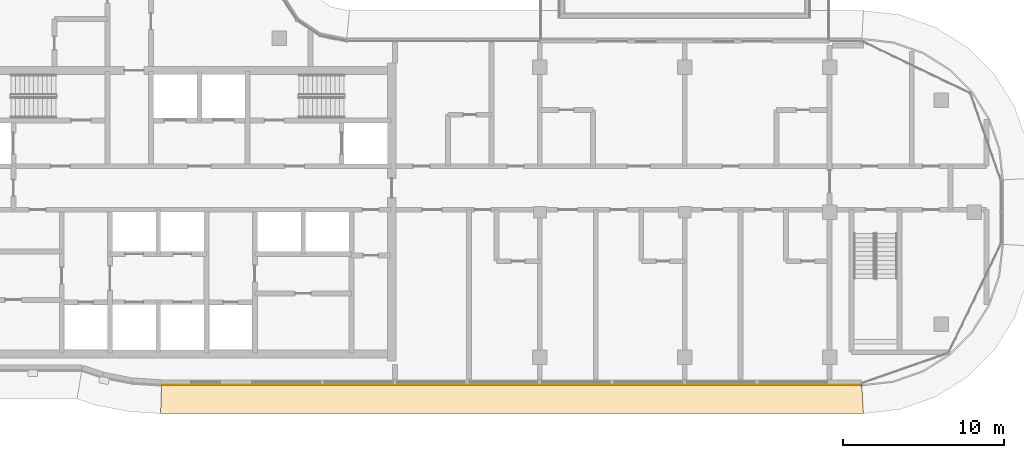
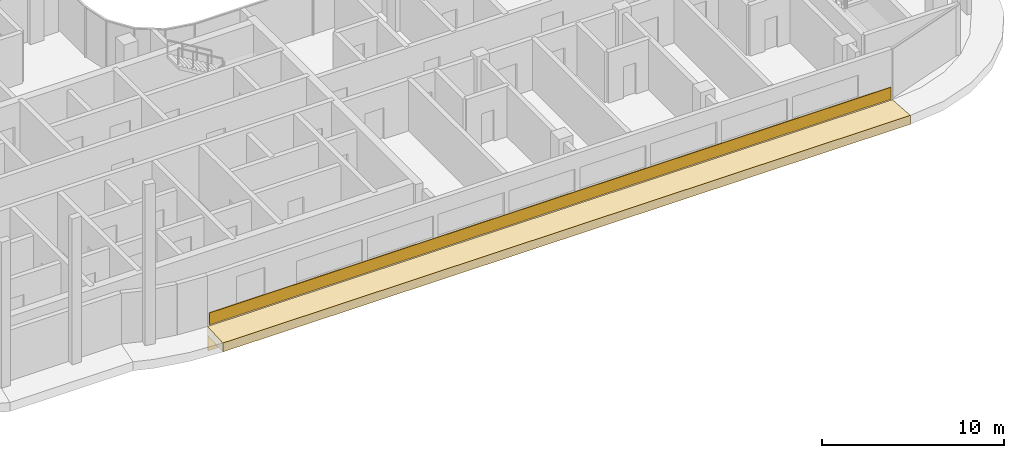
# One storey, part 18 of 20: 3 coverings.
"""IFC4 building model written with IfcOpenShell, lengths in metres."""

import ifcopenshell
import ifcopenshell.guid

model = None  # the IFC model being written
_history = None  # IfcOwnerHistory: only IFC2X3 demands one
_inside = {}  # id of a spatial element -> (the spatial element, [elements in it])
_under = {}  # id of a project, library or spatial element -> (it, [spatial elements below it])
_declared = {}  # id of a project -> (the project, [libraries it declares])
_typed = {}  # id of a type object -> (the type object, [elements of that type])
_made_of = {}  # id of a material, layer set ... -> (it, [elements and type objects made of it])


def new_model(schema):
    """Start an empty IFC model of exactly this schema.

    Asked for "IFC4X3", IfcOpenShell would pick the latest addendum, in which some entities
    have other attributes; the version numbers below select the first issue.
    IFC2X3 requires an IfcOwnerHistory on every rooted entity: one is made here for all.
    """
    global model, _history
    if schema == "IFC4X3":
        model = ifcopenshell.file(schema_version=(4, 3, 0, 0))
    else:
        model = ifcopenshell.file(schema=schema)
    _inside.clear()
    _under.clear()
    _declared.clear()
    _typed.clear()
    _made_of.clear()
    _history = None
    if model.schema == "IFC2X3":
        org = make("IfcOrganization", Name="unknown")
        user = make(
            "IfcPersonAndOrganization",
            ThePerson=make("IfcPerson", FamilyName="unknown"),
            TheOrganization=org,
        )
        app = make(
            "IfcApplication",
            ApplicationDeveloper=org,
            Version="unknown",
            ApplicationFullName="unknown",
            ApplicationIdentifier="unknown",
        )
        _history = make(
            "IfcOwnerHistory",
            OwningUser=user,
            OwningApplication=app,
            ChangeAction="ADDED",
            CreationDate=0,
        )
    return model


def make(cls, **values):
    """One entity of the class cls with the attributes given. An attribute that is None is left unset."""
    return model.create_entity(
        cls, **{name: value for name, value in values.items() if value is not None}
    )


def rooted(cls, **values):
    """An entity with a GlobalId (a new one), such as an element, a storey or a relation."""
    return make(cls, GlobalId=ifcopenshell.guid.new(), OwnerHistory=_history, **values)


def si_unit(unit_type, name, prefix=None):
    """IfcSIUnit, for example si_unit("LENGTHUNIT", "METRE", prefix="MILLI")."""
    return make("IfcSIUnit", UnitType=unit_type, Prefix=prefix, Name=name)


def assignment(units):
    """IfcUnitAssignment: the units of a project."""
    return None if units is None else make("IfcUnitAssignment", Units=units)


def point(xyz):
    """IfcCartesianPoint."""
    return None if xyz is None else make("IfcCartesianPoint", Coordinates=xyz)


def direction(xyz):
    """IfcDirection."""
    return None if xyz is None else make("IfcDirection", DirectionRatios=xyz)


def frame(location, z_axis=None, x_axis=None):
    """IfcAxis2Placement3D, a coordinate frame: its origin and axes. An axis left out is left unset."""
    return make(
        "IfcAxis2Placement3D",
        Location=point(location),
        Axis=direction(z_axis),
        RefDirection=direction(x_axis),
    )


def frame_2d(location, x_axis=None):
    """IfcAxis2Placement2D, a coordinate frame in the plane: its origin and x axis."""
    return make(
        "IfcAxis2Placement2D", Location=point(location), RefDirection=direction(x_axis)
    )


def origin():
    """The frame at (0, 0, 0) with its axes left unset."""
    return frame((0.0, 0.0, 0.0))


def origin_2d():
    """The frame at (0, 0) in the plane with its x axis left unset."""
    return frame_2d((0.0, 0.0))


def place(relative_to, where):
    """IfcLocalPlacement: puts the frame where relative to a parent placement (None: the world)."""
    return make(
        "IfcLocalPlacement", PlacementRelTo=relative_to, RelativePlacement=where
    )


def context(
    kind, dimensions, precision=None, world=None, true_north=None, identifier=None
):
    """IfcGeometricRepresentationContext, for example the 3D "Model" context."""
    return make(
        "IfcGeometricRepresentationContext",
        ContextIdentifier=identifier,
        ContextType=kind,
        CoordinateSpaceDimension=dimensions,
        Precision=precision,
        WorldCoordinateSystem=world,
        TrueNorth=true_north,
    )


def subcontext(parent, identifier, kind, view, scale=None):
    """IfcGeometricRepresentationSubContext, for example "Body" below "Model"."""
    return make(
        "IfcGeometricRepresentationSubContext",
        ContextIdentifier=identifier,
        ContextType=kind,
        ParentContext=parent,
        TargetScale=scale,
        TargetView=view,
    )


def project(units=None, contexts=None):
    """IfcProject with its units and contexts."""
    return rooted(
        "IfcProject",
        Name="project",
        RepresentationContexts=contexts,
        UnitsInContext=assignment(units),
    )


def spatial(cls, under=None, at=None, **own):
    """A site, building, storey or space (cls), placed at a placement, below another one or the project."""
    s = rooted(cls, ObjectPlacement=at, **own)
    if under is not None:
        _under.setdefault(under.id(), (under, []))[1].append(s)
    return s


def polyline(points):
    """IfcPolyline through the points."""
    return make("IfcPolyline", Points=[point(p) for p in points])


def profile(cls, at=None, kind="AREA", **sizes):
    """A parametric profile (cls). Its sizes go by their IFC names, for example OverallWidth=200.0."""
    return make(cls, ProfileType=kind, Position=at, **sizes)


def rectangle(**sizes):
    """IfcRectangleProfileDef."""
    return profile("IfcRectangleProfileDef", **sizes)


def outline(outer, holes=None, kind="AREA"):
    """IfcArbitraryClosedProfileDef: a profile drawn as a closed curve; with holes, ...WithVoids."""
    if holes is None:
        return make("IfcArbitraryClosedProfileDef", ProfileType=kind, OuterCurve=outer)
    return make(
        "IfcArbitraryProfileDefWithVoids",
        ProfileType=kind,
        OuterCurve=outer,
        InnerCurves=holes,
    )


def extrude(swept, where, along, depth):
    """IfcExtrudedAreaSolid: the profile swept, set in the frame where, extruded along a direction by depth."""
    return make(
        "IfcExtrudedAreaSolid",
        SweptArea=swept,
        Position=where,
        ExtrudedDirection=direction(along),
        Depth=depth,
    )


def shape(context_of_items, identifier, shape_type, items):
    """IfcShapeRepresentation: the items that make up one representation, for example the "Body"."""
    return make(
        "IfcShapeRepresentation",
        ContextOfItems=context_of_items,
        RepresentationIdentifier=identifier,
        RepresentationType=shape_type,
        Items=items,
    )


def material(Name=None, Category=None):
    """IfcMaterial."""
    return make("IfcMaterial", Name=Name, Category=Category)


def layer(
    of_material, thickness, ventilated=None, Name=None, Category=None, Priority=None
):
    """IfcMaterialLayer: one layer of a wall or slab, of a material (None: an air gap)."""
    return make(
        "IfcMaterialLayer",
        Material=of_material,
        LayerThickness=thickness,
        IsVentilated=ventilated,
        Name=Name,
        Category=Category,
        Priority=Priority,
    )


def layer_set(layers, Name=None):
    """IfcMaterialLayerSet."""
    return make("IfcMaterialLayerSet", MaterialLayers=layers, LayerSetName=Name)


def made_of(thing, what):
    """Note that an element or type object is made of a material, layer set ...; save() writes the relation."""
    if what is not None:
        _made_of.setdefault(what.id(), (what, []))[1].append(thing)
    return thing


def type_object(cls, material=None, **own):
    """A type object (cls), such as IfcWallType, which elements share."""
    return made_of(rooted(cls, **own), material)


def element(
    cls,
    number,
    at=None,
    inside=None,
    cuts=None,
    type_object=None,
    material=None,
    context=None,
    identifier="Body",
    shape_type=None,
    held_by="IfcProductDefinitionShape",
    body=None,
    shapes=None,
    **own,
):
    """One element of the class cls, such as IfcWall. Its Tag is "e" and its number.

    at: its placement. inside: the storey or other place that contains it. cuts: it is an
    opening in that element (IfcRelVoidsElement). A single representation is given by context,
    identifier, shape_type and body (its items); several are given by shapes. held_by: the class
    of the entity that holds the representations. save() writes the other relations.
    """
    e = rooted(cls, Tag="e%d" % number, ObjectPlacement=at, **own)
    if body is not None:
        shapes = [shape(context, identifier, shape_type, body)]
    if shapes is not None:
        e.Representation = make(held_by, Representations=shapes)
    if inside is not None:
        _inside.setdefault(inside.id(), (inside, []))[1].append(e)
    if cuts is not None:
        rooted(
            "IfcRelVoidsElement", RelatingBuildingElement=cuts, RelatedOpeningElement=e
        )
    if type_object is not None:
        _typed.setdefault(type_object.id(), (type_object, []))[1].append(e)
    return made_of(e, material)


def aggregate(whole, parts):
    """IfcRelAggregates: a whole, such as a stair, and the parts it consists of."""
    return rooted("IfcRelAggregates", RelatingObject=whole, RelatedObjects=parts)


def save(model, path):
    """Write the relations noted so far, then the file.

    IfcRelAggregates (storeys below a building ...), IfcRelContainedInSpatialStructure (elements
    in a storey), IfcRelDefinesByType, IfcRelAssociatesMaterial and IfcRelDeclares: one each for
    every whole, place, type object, material and project.
    """
    for whole, parts in _under.values():
        aggregate(whole, parts)
    for where, things in _inside.values():
        rooted(
            "IfcRelContainedInSpatialStructure",
            RelatedElements=things,
            RelatingStructure=where,
        )
    for kind, things in _typed.values():
        rooted("IfcRelDefinesByType", RelatedObjects=things, RelatingType=kind)
    for what, things in _made_of.values():
        rooted("IfcRelAssociatesMaterial", RelatedObjects=things, RelatingMaterial=what)
    for by, libraries in _declared.values():
        rooted("IfcRelDeclares", RelatingContext=by, RelatedDefinitions=libraries)
    model.write(path)


model = new_model("IFC4")

# Units and contexts
model_context = context("Model", 3, precision=1e-05, world=origin(), true_north=direction((0.0, 1.0)))
body_context = subcontext(model_context, "Body", "Model", "MODEL_VIEW")
ifc_project = project(units=[si_unit("LENGTHUNIT", "METRE"), si_unit("AREAUNIT", "SQUARE_METRE"), si_unit("VOLUMEUNIT", "CUBIC_METRE"), si_unit("PLANEANGLEUNIT", "RADIAN"), si_unit("MASSUNIT", "GRAM", prefix="KILO")], contexts=[model_context])

# Site, building, storey
site_placement = place(None, origin())
site = spatial("IfcSite", under=ifc_project, at=site_placement, CompositionType="ELEMENT")
building_placement = place(site_placement, origin())
building = spatial("IfcBuilding", under=site, at=building_placement, Name="Ogive Portal Towers", CompositionType="ELEMENT")
storey_placement = place(building_placement, frame((0.0, 0.0, 195.800048828125)))
storey = spatial("IfcBuildingStorey", under=building, at=storey_placement, Name="L48", CompositionType="ELEMENT", Elevation=195.800048828125)

# Coverings
ifc_material = material(Name="Limestone cladding on lightweight block wall", Category="masonry")
ifc_layer_1 = layer(ifc_material, 0.050048828125)
ifc_layer_set_1 = layer_set([ifc_layer_1], Name="SCREEN PERFORATED STONE")
covering_type_1 = type_object("IfcCoveringType", Name="SCREEN PERFORATED STONE", PredefinedType="CLADDING", material=ifc_layer_set_1)
covering_1_placement = place(storey_placement, frame((65.748046875, 19.760009765625, 0.10009765625), z_axis=(0.0, 0.0, 1.0), x_axis=(1.0, 0.0, 0.0)))
element("IfcCovering", 1, at=covering_1_placement, inside=storey, type_object=covering_type_1, Name="Tracery screen", PredefinedType="CLADDING", context=body_context, shape_type="SweptSolid", body=[
    extrude(rectangle(XDim=43.276611328125, YDim=0.050048828125, at=origin_2d()), origin(), (0.0, 0.0, 1.0), 0.800048828125),
])
ifc_layer_2 = layer(ifc_material, 0.080078125)
ifc_layer_set_2 = layer_set([ifc_layer_2], Name="STONE SPANDREL 80")
covering_type_2 = type_object("IfcCoveringType", Name="STONE SPANDREL 80", PredefinedType="CLADDING", material=ifc_layer_set_2)
covering_2_placement = place(storey_placement, frame((0.0, 0.0, -1.60009765625)))
element("IfcCovering", 2, at=covering_2_placement, inside=storey, type_object=covering_type_2, Name="Stone spandrel A1-F05", PredefinedType="CLADDING", context=body_context, shape_type="SweptSolid", body=[
    extrude(outline(polyline([(44.0, 19.784912109375), (87.5, 19.784912109375), (87.50439453125, 19.705078125), (43.997314453125, 19.705078125), (44.0, 19.784912109375)])), origin(), (0.0, 0.0, 1.0), 1.0),
])
ifc_layer_3 = layer(ifc_material, 0.60009765625)
ifc_layer_set_3 = layer_set([ifc_layer_3], Name="SUNSHADE LIP 600")
covering_type_3 = type_object("IfcCoveringType", Name="SUNSHADE LIP 600", PredefinedType="CLADDING", material=ifc_layer_set_3)
covering_3_placement = place(storey_placement, frame((0.0, 0.0, -0.60009765625)))
element("IfcCovering", 3, at=covering_3_placement, inside=storey, type_object=covering_type_3, Name="Sunshade lip A1-F05", PredefinedType="CLADDING", context=body_context, shape_type="SweptSolid", body=[
    extrude(outline(polyline([(44.0, 19.784912109375), (87.5, 19.784912109375), (87.60107421875, 17.985107421875), (43.941162109375, 17.985107421875), (44.0, 19.784912109375)])), origin(), (0.0, 0.0, 1.0), 0.60009765625),
])

save(model, "model.ifc")
